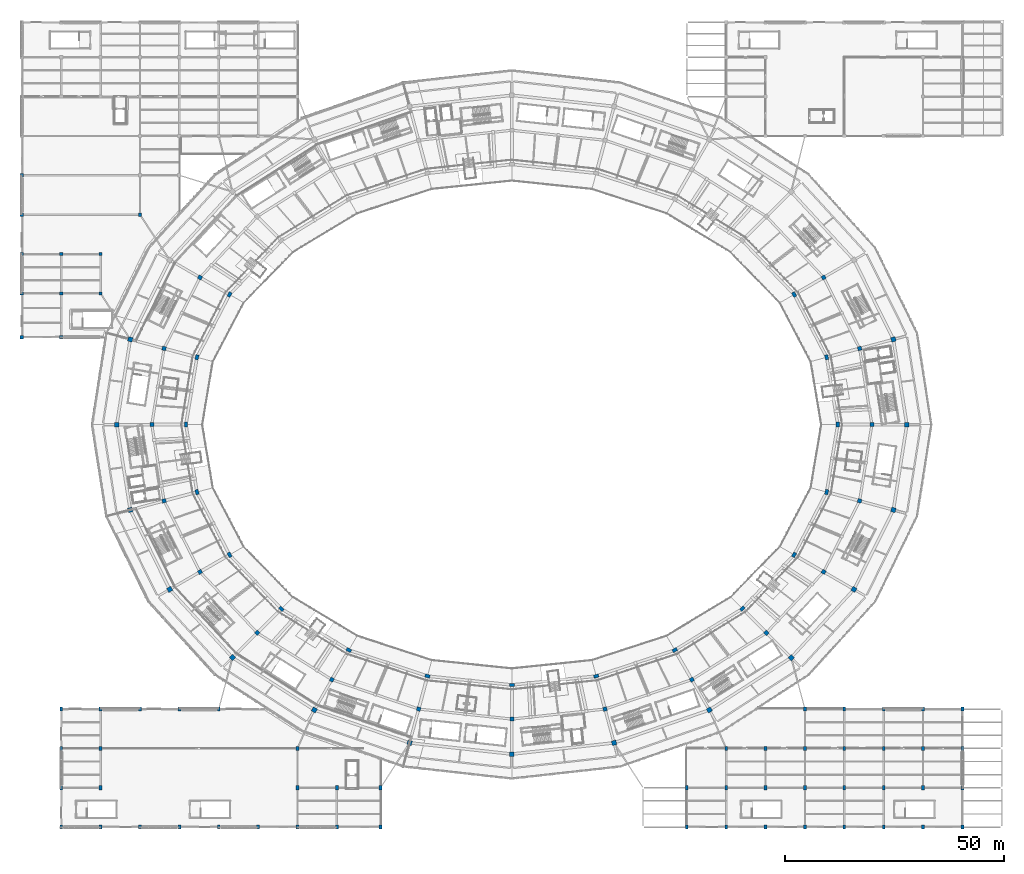
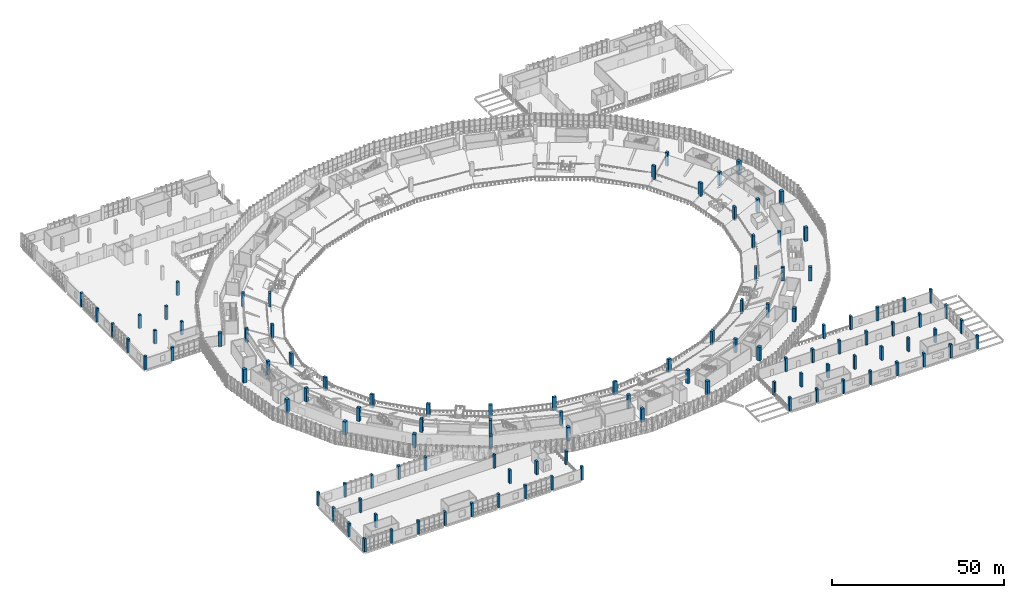
# One storey, part 1 of 152: 110 columns.
"""IFC4 building model written with IfcOpenShell, lengths in metres."""

from ifc_helpers import new_model, si_unit, direction, frame, origin, origin_2d, place, context, subcontext, project, spatial, rectangle, extrude, material, material_profile, profile_set, type_object, element, save


model = new_model("IFC4")

# Units and contexts
model_context = context("Model", 3, precision=1e-05, world=origin(), true_north=direction((0.0, 1.0)))
body_context = subcontext(model_context, "Body", "Model", "MODEL_VIEW")
ifc_project = project(units=[si_unit("LENGTHUNIT", "METRE"), si_unit("AREAUNIT", "SQUARE_METRE"), si_unit("VOLUMEUNIT", "CUBIC_METRE"), si_unit("PLANEANGLEUNIT", "RADIAN"), si_unit("MASSUNIT", "GRAM", prefix="KILO")], contexts=[model_context])

# Site, building, storey
site_placement = place(None, origin())
site = spatial("IfcSite", under=ifc_project, at=site_placement, CompositionType="ELEMENT")
building_placement = place(site_placement, origin())
building = spatial("IfcBuilding", under=site, at=building_placement, Name="Zevraka Park Crest Stadium", CompositionType="ELEMENT")
storey_placement = place(building_placement, frame((0.0, 0.0, 15.0)))
storey = spatial("IfcBuildingStorey", under=building, at=storey_placement, Name="L03", CompositionType="ELEMENT", Elevation=15.0)

# Columns
ifc_material_1 = material(Name="Concrete C40/50", Category="concrete")
ifc_material_profile_1 = material_profile(ifc_material_1, rectangle(XDim=1.050048828125, YDim=1.050048828125, at=origin_2d()), Name="RC 1050x1050")
ifc_profile_set_1 = profile_set([ifc_material_profile_1], Name="Concrete C40/50")
column_type_1 = type_object("IfcColumnType", Name="C03", PredefinedType="COLUMN", material=ifc_profile_set_1)
for number, where, z_axis, x_axis, name in (
    (1, (202.300048828125, 92.0, 0.0), (0.0, 0.0, 1.0), (1.0, 0.0, 0.0), "Perimeter Ring Column C03 L03-D-00"),
    (2, (199.222900390625, 111.489013671875, 0.0), (0.0, 0.0, 1.0), (0.965925826289, 0.258819045103, 0.0), "Perimeter Ring Column C03 L03-D-01"),
    (3, (24.777099609375, 111.489013671875, 0.0), (0.0, 0.0, 1.0), (-0.965925826289, 0.258819045103, 0.0), "Perimeter Ring Column C03 L03-D-11"),
    (4, (21.699951171875, 92.0, 0.0), (0.0, 0.0, 1.0), (1.0, 0.0, 0.0), "Perimeter Ring Column C03 L03-D-12"),
    (5, (24.777099609375, 72.510986328125, 0.0), (0.0, 0.0, 1.0), (0.965925826289, 0.258819045103, 0.0), "Perimeter Ring Column C03 L03-D-13"),
    (6, (33.798095703125, 54.35009765625, 0.0), (0.0, 0.0, 1.0), (0.866025403784, 0.5, 0.0), "Perimeter Ring Column C03 L03-D-14"),
    (7, (48.14794921875, 38.7548828125, 0.0), (0.0, 0.0, 1.0), (0.707106781187, 0.707106781187, 0.0), "Perimeter Ring Column C03 L03-D-15"),
    (8, (66.85009765625, 26.7880859375, 0.0), (0.0, 0.0, 1.0), (0.5, 0.866025403784, 0.0), "Perimeter Ring Column C03 L03-D-16"),
    (9, (88.62890625, 19.26611328125, 0.0), (0.0, 0.0, 1.0), (0.258819045103, 0.965925826289, 0.0), "Perimeter Ring Column C03 L03-D-17"),
    (10, (112.0, 16.699951171875, 0.0), (0.0, 0.0, 1.0), (0.0, 1.0, 0.0), "Perimeter Ring Column C03 L03-D-18"),
    (11, (135.37109375, 19.26611328125, 0.0), (0.0, 0.0, 1.0), (-0.258819045103, 0.965925826289, 0.0), "Perimeter Ring Column C03 L03-D-19"),
    (12, (157.14990234375, 26.7880859375, 0.0), (0.0, 0.0, 1.0), (-0.5, 0.866025403784, 0.0), "Perimeter Ring Column C03 L03-D-20"),
    (13, (175.85205078125, 38.7548828125, 0.0), (0.0, 0.0, 1.0), (-0.707106781187, 0.707106781187, 0.0), "Perimeter Ring Column C03 L03-D-21"),
    (14, (190.201904296875, 54.35009765625, 0.0), (0.0, 0.0, 1.0), (-0.866025403784, 0.5, 0.0), "Perimeter Ring Column C03 L03-D-22"),
    (15, (199.222900390625, 72.510986328125, 0.0), (0.0, 0.0, 1.0), (-0.965925826289, 0.258819045103, 0.0), "Perimeter Ring Column C03 L03-D-23"),
):
    element("IfcColumn", number, at=place(storey_placement, frame(where, z_axis=z_axis, x_axis=x_axis)), inside=storey, type_object=column_type_1, Name=name, PredefinedType="COLUMN", context=body_context, shape_type="SweptSolid", body=[
        extrude(rectangle(XDim=1.050048828125, YDim=1.050048828125, at=origin_2d()), origin(), (0.0, 0.0, 1.0), 4.800048828125),
    ])
ifc_material_2 = material(Name="Concrete C40/50", Category="concrete")
ifc_material_profile_2 = material_profile(ifc_material_2, rectangle(XDim=0.89990234375, YDim=0.89990234375, at=origin_2d()), Name="RC 900x900")
ifc_profile_set_2 = profile_set([ifc_material_profile_2], Name="Concrete C40/50")
column_type_2 = type_object("IfcColumnType", Name="C04", PredefinedType="COLUMN", material=ifc_profile_set_2)
for number, where, z_axis, x_axis, name in (
    (16, (194.300048828125, 92.0, 0.0), (0.0, 0.0, 1.0), (1.0, 0.0, 0.0), "Concourse Mid Column C04 L03-C-00"),
    (17, (191.49609375, 109.4189453125, 0.0), (0.0, 0.0, 1.0), (0.965925826289, 0.258819045103, 0.0), "Concourse Mid Column C04 L03-C-01"),
    (18, (183.27392578125, 125.64990234375, 0.0), (0.0, 0.0, 1.0), (0.866025403784, 0.5, 0.0), "Concourse Mid Column C04 L03-C-02"),
    (19, (40.72607421875, 125.64990234375, 0.0), (0.0, 0.0, 1.0), (-0.866025403784, 0.5, 0.0), "Concourse Mid Column C04 L03-C-10"),
    (20, (32.50390625, 109.4189453125, 0.0), (0.0, 0.0, 1.0), (-0.965925826289, 0.258819045103, 0.0), "Concourse Mid Column C04 L03-C-11"),
    (21, (29.699951171875, 92.0, 0.0), (0.0, 0.0, 1.0), (1.0, 0.0, 0.0), "Concourse Mid Column C04 L03-C-12"),
    (22, (32.50390625, 74.5810546875, 0.0), (0.0, 0.0, 1.0), (0.965925826289, 0.258819045103, 0.0), "Concourse Mid Column C04 L03-C-13"),
    (23, (40.72607421875, 58.35009765625, 0.0), (0.0, 0.0, 1.0), (0.866025403784, 0.5, 0.0), "Concourse Mid Column C04 L03-C-14"),
    (24, (53.804931640625, 44.412109375, 0.0), (0.0, 0.0, 1.0), (0.707106781187, 0.707106781187, 0.0), "Concourse Mid Column C04 L03-C-15"),
    (25, (70.85009765625, 33.716064453125, 0.0), (0.0, 0.0, 1.0), (0.5, 0.866025403784, 0.0), "Concourse Mid Column C04 L03-C-16"),
    (26, (90.698974609375, 26.992919921875, 0.0), (0.0, 0.0, 1.0), (0.258819045103, 0.965925826289, 0.0), "Concourse Mid Column C04 L03-C-17"),
    (27, (112.0, 24.699951171875, 0.0), (0.0, 0.0, 1.0), (0.0, 1.0, 0.0), "Concourse Mid Column C04 L03-C-18"),
    (28, (133.301025390625, 26.992919921875, 0.0), (0.0, 0.0, 1.0), (-0.258819045103, 0.965925826289, 0.0), "Concourse Mid Column C04 L03-C-19"),
    (29, (153.14990234375, 33.716064453125, 0.0), (0.0, 0.0, 1.0), (-0.5, 0.866025403784, 0.0), "Concourse Mid Column C04 L03-C-20"),
    (30, (170.195068359375, 44.412109375, 0.0), (0.0, 0.0, 1.0), (-0.707106781187, 0.707106781187, 0.0), "Concourse Mid Column C04 L03-C-21"),
    (31, (183.27392578125, 58.35009765625, 0.0), (0.0, 0.0, 1.0), (-0.866025403784, 0.5, 0.0), "Concourse Mid Column C04 L03-C-22"),
    (32, (191.49609375, 74.5810546875, 0.0), (0.0, 0.0, 1.0), (-0.965925826289, 0.258819045103, 0.0), "Concourse Mid Column C04 L03-C-23"),
):
    element("IfcColumn", number, at=place(storey_placement, frame(where, z_axis=z_axis, x_axis=x_axis)), inside=storey, type_object=column_type_2, Name=name, PredefinedType="COLUMN", context=body_context, shape_type="SweptSolid", body=[
        extrude(rectangle(XDim=0.89990234375, YDim=0.89990234375, at=origin_2d()), origin(), (0.0, 0.0, 1.0), 4.800048828125),
    ])
ifc_material_3 = material(Name="Concrete C40/50", Category="concrete")
ifc_material_profile_3 = material_profile(ifc_material_3, rectangle(XDim=0.75, YDim=0.75, at=origin_2d()), Name="RC 750x750")
ifc_profile_set_3 = profile_set([ifc_material_profile_3], Name="Concrete C40/50")
column_type_3 = type_object("IfcColumnType", Name="C05", PredefinedType="COLUMN", material=ifc_profile_set_3)
for number, where, z_axis, x_axis, name in (
    (33, (0.0, 112.0, 0.0), (0.0, 0.0, 1.0), (1.0, 0.0, 0.0), "Wing Column C05 L03-1/N"),
    (34, (0.0, 122.0, 0.0), (0.0, 0.0, 1.0), (1.0, 0.0, 0.0), "Wing Column C05 L03-1/P"),
    (35, (0.0, 131.0, 0.0), (0.0, 0.0, 1.0), (1.0, 0.0, 0.0), "Wing Column C05 L03-1/Q"),
    (36, (0.0, 140.0, 0.0), (0.0, 0.0, 1.0), (1.0, 0.0, 0.0), "Wing Column C05 L03-1/R"),
    (37, (0.0, 149.0, 0.0), (0.0, 0.0, 1.0), (1.0, 0.0, 0.0), "Wing Column C05 L03-1/S"),
    (38, (9.0, 112.0, 0.0), (0.0, 0.0, 1.0), (1.0, 0.0, 0.0), "Wing Column C05 L03-2/N"),
    (39, (9.0, 122.0, 0.0), (0.0, 0.0, 1.0), (1.0, 0.0, 0.0), "Wing Column C05 L03-2/P"),
    (40, (9.0, 131.0, 0.0), (0.0, 0.0, 1.0), (1.0, 0.0, 0.0), "Wing Column C05 L03-2/Q"),
    (41, (18.0, 122.0, 0.0), (0.0, 0.0, 1.0), (1.0, 0.0, 0.0), "Wing Column C05 L03-3/P"),
    (42, (18.0, 131.0, 0.0), (0.0, 0.0, 1.0), (1.0, 0.0, 0.0), "Wing Column C05 L03-3/Q"),
    (43, (27.0, 140.0, 0.0), (0.0, 0.0, 1.0), (1.0, 0.0, 0.0), "Wing Column C05 L03-4/R"),
):
    element("IfcColumn", number, at=place(storey_placement, frame(where, z_axis=z_axis, x_axis=x_axis)), inside=storey, type_object=column_type_3, Name=name, PredefinedType="COLUMN", context=body_context, shape_type="SweptSolid", body=[
        extrude(rectangle(XDim=0.75, YDim=0.75, at=origin_2d()), origin(), (0.0, 0.0, 1.0), 4.800048828125),
    ])
ifc_material_4 = material(Name="Concrete C40/50", Category="concrete")
ifc_material_profile_4 = material_profile(ifc_material_4, rectangle(XDim=0.75, YDim=1.14990234375, at=origin_2d()), Name="RC 1150x750")
ifc_profile_set_4 = profile_set([ifc_material_profile_4], Name="Concrete C40/50")
column_type_4 = type_object("IfcColumnType", Name="C10", PredefinedType="COLUMN", material=ifc_profile_set_4)
for number, where, z_axis, x_axis, name in (
    (44, (186.5, 92.0, 0.0), (0.0, 0.0, 1.0), (1.0, 0.0, 0.0), "Bowl Main Column C10 L03-B-00"),
    (45, (183.9609375, 107.39990234375, 0.0), (0.0, 0.0, 1.0), (0.965925826289, 0.258819045103, 0.0), "Bowl Main Column C10 L03-B-01"),
    (46, (176.51904296875, 121.75, 0.0), (0.0, 0.0, 1.0), (0.866025403784, 0.5, 0.0), "Bowl Main Column C10 L03-B-02"),
    (47, (47.48095703125, 121.75, 0.0), (0.0, 0.0, 1.0), (-0.866025403784, 0.5, 0.0), "Bowl Main Column C10 L03-B-10"),
    (48, (40.0390625, 107.39990234375, 0.0), (0.0, 0.0, 1.0), (-0.965925826289, 0.258819045103, 0.0), "Bowl Main Column C10 L03-B-11"),
    (49, (37.5, 92.0, 0.0), (0.0, 0.0, 1.0), (1.0, 0.0, 0.0), "Bowl Main Column C10 L03-B-12"),
    (50, (40.0390625, 76.60009765625, 0.0), (0.0, 0.0, 1.0), (0.965925826289, 0.258819045103, 0.0), "Bowl Main Column C10 L03-B-13"),
    (51, (47.48095703125, 62.25, 0.0), (0.0, 0.0, 1.0), (0.866025403784, 0.5, 0.0), "Bowl Main Column C10 L03-B-14"),
    (52, (59.321044921875, 49.927001953125, 0.0), (0.0, 0.0, 1.0), (0.707106781187, 0.707106781187, 0.0), "Bowl Main Column C10 L03-B-15"),
    (53, (74.75, 40.470947265625, 0.0), (0.0, 0.0, 1.0), (0.5, 0.866025403784, 0.0), "Bowl Main Column C10 L03-B-16"),
    (54, (92.718017578125, 34.527099609375, 0.0), (0.0, 0.0, 1.0), (0.258819045103, 0.965925826289, 0.0), "Bowl Main Column C10 L03-B-17"),
    (55, (112.0, 32.5, 0.0), (0.0, 0.0, 1.0), (0.0, 1.0, 0.0), "Bowl Main Column C10 L03-B-18"),
    (56, (131.281982421875, 34.527099609375, 0.0), (0.0, 0.0, 1.0), (-0.258819045103, 0.965925826289, 0.0), "Bowl Main Column C10 L03-B-19"),
    (57, (149.25, 40.470947265625, 0.0), (0.0, 0.0, 1.0), (-0.5, 0.866025403784, 0.0), "Bowl Main Column C10 L03-B-20"),
    (58, (164.678955078125, 49.927001953125, 0.0), (0.0, 0.0, 1.0), (-0.707106781187, 0.707106781187, 0.0), "Bowl Main Column C10 L03-B-21"),
    (59, (176.51904296875, 62.25, 0.0), (0.0, 0.0, 1.0), (-0.866025403784, 0.5, 0.0), "Bowl Main Column C10 L03-B-22"),
    (60, (183.9609375, 76.60009765625, 0.0), (0.0, 0.0, 1.0), (-0.965925826289, 0.258819045103, 0.0), "Bowl Main Column C10 L03-B-23"),
):
    element("IfcColumn", number, at=place(storey_placement, frame(where, z_axis=z_axis, x_axis=x_axis)), inside=storey, type_object=column_type_4, Name=name, PredefinedType="COLUMN", context=body_context, shape_type="SweptSolid", body=[
        extrude(rectangle(XDim=0.75, YDim=1.14990234375, at=origin_2d()), origin(), (0.0, 0.0, 1.0), 4.800048828125),
    ])
ifc_material_5 = material(Name="Concrete C40/50", Category="concrete")
ifc_material_profile_5 = material_profile(ifc_material_5, rectangle(XDim=0.64990234375, YDim=0.949951171875, at=origin_2d()), Name="RC 950x650")
ifc_profile_set_5 = profile_set([ifc_material_profile_5], Name="Concrete C40/50")
column_type_5 = type_object("IfcColumnType", Name="C11", PredefinedType="COLUMN", material=ifc_profile_set_5)
for number, where, z_axis, x_axis, name in (
    (61, (9.0, 0.0, 0.0), (0.0, 0.0, 1.0), (1.0, 0.0, 0.0), "Wing Column C11 L03-2/A"),
    (62, (9.0, 9.0, 0.0), (0.0, 0.0, 1.0), (1.0, 0.0, 0.0), "Wing Column C11 L03-2/B"),
    (63, (9.0, 18.0, 0.0), (0.0, 0.0, 1.0), (1.0, 0.0, 0.0), "Wing Column C11 L03-2/C"),
    (64, (9.0, 27.0, 0.0), (0.0, 0.0, 1.0), (1.0, 0.0, 0.0), "Wing Column C11 L03-2/D"),
    (65, (18.0, 0.0, 0.0), (0.0, 0.0, 1.0), (1.0, 0.0, 0.0), "Wing Column C11 L03-3/A"),
    (66, (18.0, 9.0, 0.0), (0.0, 0.0, 1.0), (1.0, 0.0, 0.0), "Wing Column C11 L03-3/B"),
    (67, (18.0, 18.0, 0.0), (0.0, 0.0, 1.0), (1.0, 0.0, 0.0), "Wing Column C11 L03-3/C"),
    (68, (18.0, 27.0, 0.0), (0.0, 0.0, 1.0), (1.0, 0.0, 0.0), "Wing Column C11 L03-3/D"),
    (69, (27.0, 0.0, 0.0), (0.0, 0.0, 1.0), (1.0, 0.0, 0.0), "Wing Column C11 L03-4/A"),
    (70, (27.0, 27.0, 0.0), (0.0, 0.0, 1.0), (1.0, 0.0, 0.0), "Wing Column C11 L03-4/D"),
    (71, (36.0, 0.0, 0.0), (0.0, 0.0, 1.0), (1.0, 0.0, 0.0), "Wing Column C11 L03-5/A"),
    (72, (36.0, 27.0, 0.0), (0.0, 0.0, 1.0), (1.0, 0.0, 0.0), "Wing Column C11 L03-5/D"),
    (73, (45.0, 0.0, 0.0), (0.0, 0.0, 1.0), (1.0, 0.0, 0.0), "Wing Column C11 L03-6/A"),
    (74, (45.0, 27.0, 0.0), (0.0, 0.0, 1.0), (1.0, 0.0, 0.0), "Wing Column C11 L03-6/D"),
    (75, (54.0, 0.0, 0.0), (0.0, 0.0, 1.0), (1.0, 0.0, 0.0), "Wing Column C11 L03-7/A"),
    (76, (63.0, 0.0, 0.0), (0.0, 0.0, 1.0), (1.0, 0.0, 0.0), "Wing Column C11 L03-8/A"),
    (77, (63.0, 9.0, 0.0), (0.0, 0.0, 1.0), (1.0, 0.0, 0.0), "Wing Column C11 L03-8/B"),
    (78, (63.0, 18.0, 0.0), (0.0, 0.0, 1.0), (1.0, 0.0, 0.0), "Wing Column C11 L03-8/C"),
    (79, (72.0, 0.0, 0.0), (0.0, 0.0, 1.0), (1.0, 0.0, 0.0), "Wing Column C11 L03-9/A"),
    (80, (72.0, 9.0, 0.0), (0.0, 0.0, 1.0), (1.0, 0.0, 0.0), "Wing Column C11 L03-9/B"),
    (81, (82.0, 0.0, 0.0), (0.0, 0.0, 1.0), (1.0, 0.0, 0.0), "Wing Column C11 L03-10/A"),
    (82, (82.0, 9.0, 0.0), (0.0, 0.0, 1.0), (1.0, 0.0, 0.0), "Wing Column C11 L03-10/B"),
    (83, (152.0, 0.0, 0.0), (0.0, 0.0, 1.0), (1.0, 0.0, 0.0), "Wing Column C11 L03-17/A"),
    (84, (152.0, 9.0, 0.0), (0.0, 0.0, 1.0), (1.0, 0.0, 0.0), "Wing Column C11 L03-17/B"),
    (85, (161.0, 0.0, 0.0), (0.0, 0.0, 1.0), (1.0, 0.0, 0.0), "Wing Column C11 L03-18/A"),
    (86, (161.0, 9.0, 0.0), (0.0, 0.0, 1.0), (1.0, 0.0, 0.0), "Wing Column C11 L03-18/B"),
    (87, (161.0, 18.0, 0.0), (0.0, 0.0, 1.0), (1.0, 0.0, 0.0), "Wing Column C11 L03-18/C"),
    (88, (170.0, 0.0, 0.0), (0.0, 0.0, 1.0), (1.0, 0.0, 0.0), "Wing Column C11 L03-19/A"),
    (89, (170.0, 9.0, 0.0), (0.0, 0.0, 1.0), (1.0, 0.0, 0.0), "Wing Column C11 L03-19/B"),
    (90, (170.0, 18.0, 0.0), (0.0, 0.0, 1.0), (1.0, 0.0, 0.0), "Wing Column C11 L03-19/C"),
    (91, (179.0, 0.0, 0.0), (0.0, 0.0, 1.0), (1.0, 0.0, 0.0), "Wing Column C11 L03-20/A"),
    (92, (179.0, 9.0, 0.0), (0.0, 0.0, 1.0), (1.0, 0.0, 0.0), "Wing Column C11 L03-20/B"),
    (93, (179.0, 18.0, 0.0), (0.0, 0.0, 1.0), (1.0, 0.0, 0.0), "Wing Column C11 L03-20/C"),
    (94, (179.0, 27.0, 0.0), (0.0, 0.0, 1.0), (1.0, 0.0, 0.0), "Wing Column C11 L03-20/D"),
    (95, (188.0, 0.0, 0.0), (0.0, 0.0, 1.0), (1.0, 0.0, 0.0), "Wing Column C11 L03-21/A"),
    (96, (188.0, 9.0, 0.0), (0.0, 0.0, 1.0), (1.0, 0.0, 0.0), "Wing Column C11 L03-21/B"),
    (97, (188.0, 18.0, 0.0), (0.0, 0.0, 1.0), (1.0, 0.0, 0.0), "Wing Column C11 L03-21/C"),
    (98, (188.0, 27.0, 0.0), (0.0, 0.0, 1.0), (1.0, 0.0, 0.0), "Wing Column C11 L03-21/D"),
    (99, (197.0, 0.0, 0.0), (0.0, 0.0, 1.0), (1.0, 0.0, 0.0), "Wing Column C11 L03-22/A"),
    (100, (197.0, 9.0, 0.0), (0.0, 0.0, 1.0), (1.0, 0.0, 0.0), "Wing Column C11 L03-22/B"),
    (101, (197.0, 18.0, 0.0), (0.0, 0.0, 1.0), (1.0, 0.0, 0.0), "Wing Column C11 L03-22/C"),
    (102, (197.0, 27.0, 0.0), (0.0, 0.0, 1.0), (1.0, 0.0, 0.0), "Wing Column C11 L03-22/D"),
    (103, (206.0, 0.0, 0.0), (0.0, 0.0, 1.0), (1.0, 0.0, 0.0), "Wing Column C11 L03-23/A"),
    (104, (206.0, 9.0, 0.0), (0.0, 0.0, 1.0), (1.0, 0.0, 0.0), "Wing Column C11 L03-23/B"),
    (105, (206.0, 18.0, 0.0), (0.0, 0.0, 1.0), (1.0, 0.0, 0.0), "Wing Column C11 L03-23/C"),
    (106, (206.0, 27.0, 0.0), (0.0, 0.0, 1.0), (1.0, 0.0, 0.0), "Wing Column C11 L03-23/D"),
    (107, (215.0, 0.0, 0.0), (0.0, 0.0, 1.0), (1.0, 0.0, 0.0), "Wing Column C11 L03-24/A"),
    (108, (215.0, 9.0, 0.0), (0.0, 0.0, 1.0), (1.0, 0.0, 0.0), "Wing Column C11 L03-24/B"),
    (109, (215.0, 18.0, 0.0), (0.0, 0.0, 1.0), (1.0, 0.0, 0.0), "Wing Column C11 L03-24/C"),
    (110, (215.0, 27.0, 0.0), (0.0, 0.0, 1.0), (1.0, 0.0, 0.0), "Wing Column C11 L03-24/D"),
):
    element("IfcColumn", number, at=place(storey_placement, frame(where, z_axis=z_axis, x_axis=x_axis)), inside=storey, type_object=column_type_5, Name=name, PredefinedType="COLUMN", context=body_context, shape_type="SweptSolid", body=[
        extrude(rectangle(XDim=0.64990234375, YDim=0.949951171875, at=origin_2d()), origin(), (0.0, 0.0, 1.0), 4.800048828125),
    ])

save(model, "model.ifc")
